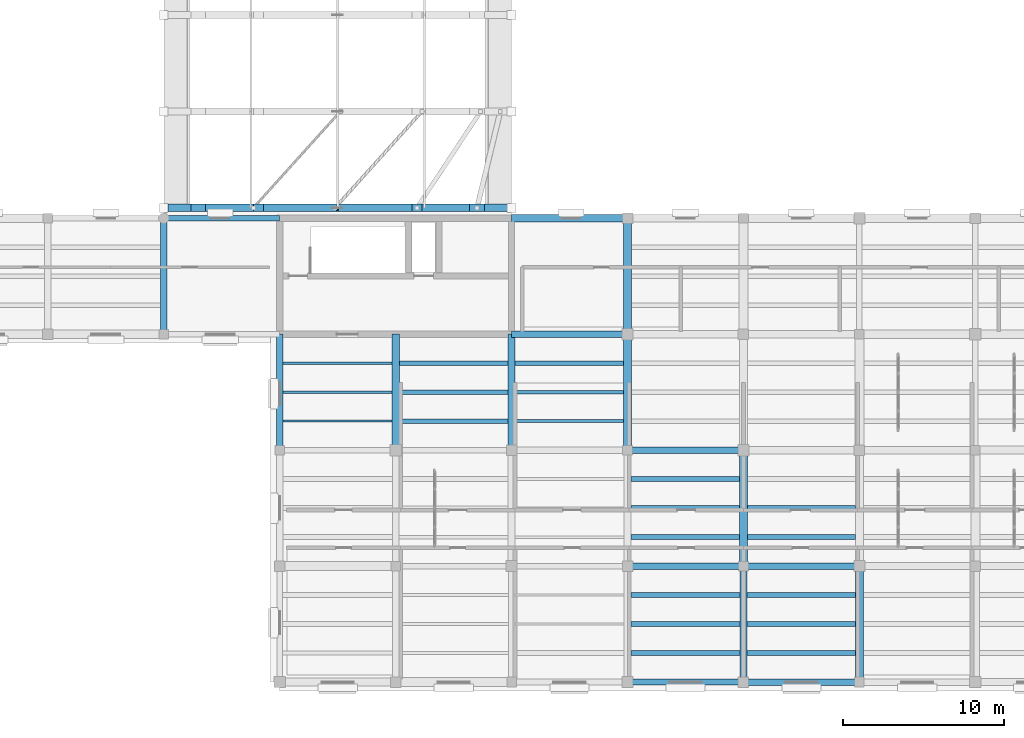
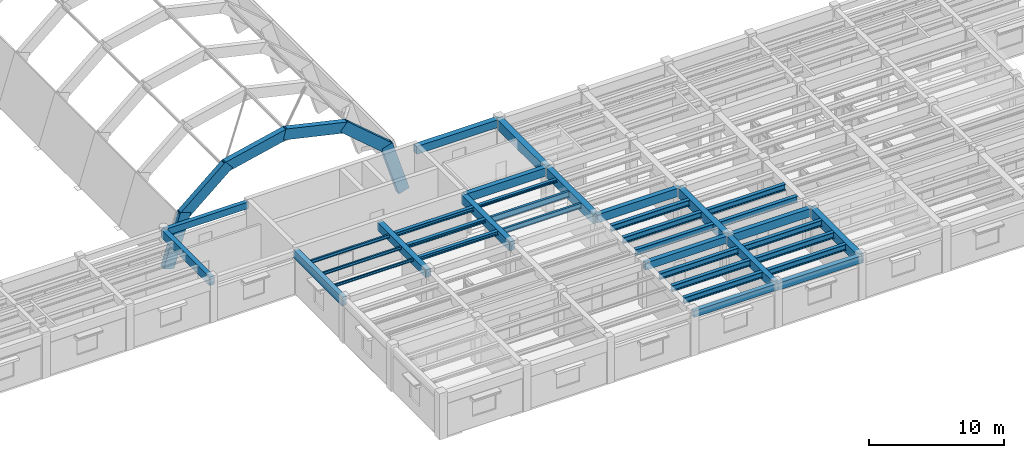
# One storey, part 7 of 66: 43 beams.
"""IFC4 building model written with IfcOpenShell, lengths in metres."""

from ifc_helpers import new_model, si_unit, direction, frame, origin, origin_2d, place, context, subcontext, project, spatial, rectangle, i_section, extrude, material, material_profile, profile_set, type_object, element, save


model = new_model("IFC4")

# Units and contexts
model_context = context("Model", 3, precision=1e-05, world=origin(), true_north=direction((0.0, 1.0)))
body_context = subcontext(model_context, "Body", "Model", "MODEL_VIEW")
ifc_project = project(units=[si_unit("LENGTHUNIT", "METRE"), si_unit("AREAUNIT", "SQUARE_METRE"), si_unit("VOLUMEUNIT", "CUBIC_METRE"), si_unit("PLANEANGLEUNIT", "RADIAN"), si_unit("MASSUNIT", "GRAM", prefix="KILO")], contexts=[model_context])

# Site, building, storey
site_placement = place(None, origin())
site = spatial("IfcSite", under=ifc_project, at=site_placement, CompositionType="ELEMENT")
building_placement = place(site_placement, origin())
building = spatial("IfcBuilding", under=site, at=building_placement, Name="Mithqara Police Headquarters", CompositionType="ELEMENT")
storey_placement = place(building_placement, frame((0.0, 0.0, 9.60009765625)))
storey = spatial("IfcBuildingStorey", under=building, at=storey_placement, Name="L02", CompositionType="ELEMENT", Elevation=9.60009765625)

# Beams
ifc_material_1 = material(Name="Steel S355JR", Category="steel")
ifc_material_profile_1 = material_profile(ifc_material_1, i_section(OverallWidth=0.300048828125, OverallDepth=0.300048828125, WebThickness=0.010986328125, FlangeThickness=0.01904296875, FilletRadius=0.027099609375, at=origin_2d()), Name="HEB 300")
ifc_profile_set_1 = profile_set([ifc_material_profile_1], Name="Steel S355JR")
beam_type_1 = type_object("IfcBeamType", Name="BEAM HEB300", PredefinedType="BEAM", material=ifc_profile_set_1)
beam_1_placement = place(storey_placement, frame((87.22509765625, 24.60009765625, 3.789794921875), z_axis=(1.0, 0.0, 0.0), x_axis=(0.0, 1.0, 0.0)))
element("IfcBeam", 1, at=beam_1_placement, inside=storey, type_object=beam_type_1, Name="L02 Composite Steel Joist 13-14/D.2", PredefinedType="BEAM", context=body_context, shape_type="SweptSolid", body=[
    extrude(i_section(OverallWidth=0.300048828125, OverallDepth=0.300048828125, WebThickness=0.010986328125, FlangeThickness=0.01904296875, FilletRadius=0.027099609375, at=origin_2d()), origin(), (0.0, 0.0, 1.0), 6.75),
])
ifc_material_profile_2 = material_profile(ifc_material_1, i_section(OverallWidth=0.300048828125, OverallDepth=0.360107421875, WebThickness=0.012451171875, FlangeThickness=0.0224609375, FilletRadius=0.027099609375, at=origin_2d()), Name="HEB 360")
ifc_profile_set_2 = profile_set([ifc_material_profile_2], Name="Steel S355JR")
beam_type_2 = type_object("IfcBeamType", Name="BEAM HEB360", PredefinedType="BEAM", material=ifc_profile_set_2)
beam_2_placement = place(storey_placement, frame((87.22509765625, 26.39990234375, 3.760009765625), z_axis=(1.0, 0.0, 0.0), x_axis=(0.0, 1.0, 0.0)))
element("IfcBeam", 2, at=beam_2_placement, inside=storey, type_object=beam_type_2, Name="L02 Composite Steel Joist 13-14/D.3", PredefinedType="BEAM", context=body_context, shape_type="SweptSolid", body=[
    extrude(i_section(OverallWidth=0.300048828125, OverallDepth=0.360107421875, WebThickness=0.012451171875, FlangeThickness=0.0224609375, FilletRadius=0.027099609375, at=origin_2d()), origin(), (0.0, 0.0, 1.0), 6.75),
])
ifc_material_profile_3 = material_profile(ifc_material_1, i_section(OverallWidth=0.300048828125, OverallDepth=0.550048828125, WebThickness=0.014892578125, FlangeThickness=0.029052734375, FilletRadius=0.027099609375, at=origin_2d()), Name="HEB 550")
ifc_profile_set_3 = profile_set([ifc_material_profile_3], Name="Steel S355JR")
beam_type_3 = type_object("IfcBeamType", Name="BEAM HEB550", PredefinedType="BEAM", material=ifc_profile_set_3)
for number, where, z_axis, x_axis, name in (
    (3, (101.625, 8.39990234375, 3.664794921875), (1.0, 0.0, 0.0), (0.0, 1.0, 0.0), "L02 Composite Steel Joist 15-16/B.1"),
    (4, (101.625, 10.199951171875, 3.664794921875), (1.0, 0.0, 0.0), (0.0, 1.0, 0.0), "L02 Composite Steel Joist 15-16/B.2"),
    (5, (101.625, 12.0, 3.664794921875), (1.0, 0.0, 0.0), (0.0, 1.0, 0.0), "L02 Composite Steel Joist 15-16/B.3"),
):
    element("IfcBeam", number, at=place(storey_placement, frame(where, z_axis=z_axis, x_axis=x_axis)), inside=storey, type_object=beam_type_3, Name=name, PredefinedType="BEAM", context=body_context, shape_type="SweptSolid", body=[
        extrude(i_section(OverallWidth=0.300048828125, OverallDepth=0.550048828125, WebThickness=0.014892578125, FlangeThickness=0.029052734375, FilletRadius=0.027099609375, at=origin_2d()), origin(), (0.0, 0.0, 1.0), 6.75),
    ])
for number, where, z_axis, x_axis, name in (
    (6, (101.625, 15.60009765625, 3.664794921875), (1.0, 0.0, 0.0), (0.0, 1.0, 0.0), "L02 Composite Steel Joist 15-16/C.1"),
    (7, (101.625, 17.39990234375, 3.664794921875), (1.0, 0.0, 0.0), (0.0, 1.0, 0.0), "L02 Composite Steel Joist 15-16/C.2"),
    (8, (101.625, 19.199951171875, 3.664794921875), (1.0, 0.0, 0.0), (0.0, 1.0, 0.0), "L02 Composite Steel Joist 15-16/C.3"),
    (9, (108.824951171875, 8.39990234375, 3.664794921875), (1.0, 0.0, 0.0), (0.0, 1.0, 0.0), "L02 Composite Steel Joist 16-17/B.1"),
    (10, (108.824951171875, 10.199951171875, 3.664794921875), (1.0, 0.0, 0.0), (0.0, 1.0, 0.0), "L02 Composite Steel Joist 16-17/B.2"),
    (11, (108.824951171875, 12.0, 3.664794921875), (1.0, 0.0, 0.0), (0.0, 1.0, 0.0), "L02 Composite Steel Joist 16-17/B.3"),
):
    element("IfcBeam", number, at=place(storey_placement, frame(where, z_axis=z_axis, x_axis=x_axis)), inside=storey, type_object=beam_type_3, Name=name, PredefinedType="BEAM", context=body_context, shape_type="SweptSolid", body=[
        extrude(i_section(OverallWidth=0.300048828125, OverallDepth=0.550048828125, WebThickness=0.014892578125, FlangeThickness=0.029052734375, FilletRadius=0.027099609375, at=origin_2d()), origin(), (0.0, 0.0, 1.0), 6.72509765625),
    ])
for number, where, z_axis, x_axis, name in (
    (12, (108.85009765625, 15.60009765625, 3.664794921875), (1.0, 0.0, 0.0), (0.0, 1.0, 0.0), "L02 Composite Steel Joist 16-17/C.1"),
    (13, (108.85009765625, 17.39990234375, 3.664794921875), (1.0, 0.0, 0.0), (0.0, 1.0, 0.0), "L02 Composite Steel Joist 16-17/C.2"),
):
    element("IfcBeam", number, at=place(storey_placement, frame(where, z_axis=z_axis, x_axis=x_axis)), inside=storey, type_object=beam_type_3, Name=name, PredefinedType="BEAM", context=body_context, shape_type="SweptSolid", body=[
        extrude(i_section(OverallWidth=0.300048828125, OverallDepth=0.550048828125, WebThickness=0.014892578125, FlangeThickness=0.029052734375, FilletRadius=0.027099609375, at=origin_2d()), origin(), (0.0, 0.0, 1.0), 6.699951171875),
    ])
ifc_material_2 = material(Name="Concrete C40/50", Category="concrete")
ifc_material_profile_4 = material_profile(ifc_material_2, rectangle(XDim=0.35009765625, YDim=0.60009765625, at=origin_2d()), Name="RC 350x600")
ifc_profile_set_4 = profile_set([ifc_material_profile_4], Name="Concrete C40/50")
beam_type_4 = type_object("IfcBeamType", Name="BEAM RC350X600", PredefinedType="BEAM", material=ifc_profile_set_4)
beam_3_placement = place(storey_placement, frame((72.60009765625, 35.39990234375, 3.639892578125), z_axis=(1.0, 0.0, 0.0), x_axis=(0.0, 1.0, 0.0)))
element("IfcBeam", 14, at=beam_3_placement, inside=storey, type_object=beam_type_4, Name="L02 Girder 11-12/F", PredefinedType="BEAM", context=body_context, shape_type="SweptSolid", body=[
    extrude(rectangle(XDim=0.35009765625, YDim=0.60009765625, at=origin_2d()), origin(), (0.0, 0.0, 1.0), 7.199951171875),
])
beam_4_placement = place(storey_placement, frame((101.39990234375, 6.60009765625, 3.639892578125), z_axis=(1.0, 0.0, 0.0), x_axis=(0.0, 1.0, 0.0)))
element("IfcBeam", 15, at=beam_4_placement, inside=storey, type_object=beam_type_4, Name="L02 Girder 15-16/B", PredefinedType="BEAM", context=body_context, shape_type="SweptSolid", body=[
    extrude(rectangle(XDim=0.35009765625, YDim=0.60009765625, at=origin_2d()), origin(), (0.0, 0.0, 1.0), 7.2001953125),
])
ifc_material_profile_5 = material_profile(ifc_material_2, rectangle(XDim=0.39990234375, YDim=0.64990234375, at=origin_2d()), Name="RC 400x650")
ifc_profile_set_5 = profile_set([ifc_material_profile_5], Name="Concrete C40/50")
beam_type_5 = type_object("IfcBeamType", Name="BEAM RC400X650", PredefinedType="BEAM", material=ifc_profile_set_5)
beam_5_placement = place(storey_placement, frame((101.39990234375, 13.800048828125, 3.614990234375), z_axis=(1.0, 0.0, 0.0), x_axis=(0.0, 1.0, 0.0)))
element("IfcBeam", 16, at=beam_5_placement, inside=storey, type_object=beam_type_5, Name="L02 Girder 15-16/C", PredefinedType="BEAM", context=body_context, shape_type="SweptSolid", body=[
    extrude(rectangle(XDim=0.39990234375, YDim=0.64990234375, at=origin_2d()), origin(), (0.0, 0.0, 1.0), 7.2001953125),
])
beam_6_placement = place(storey_placement, frame((108.60009765625, 6.60009765625, 3.614990234375), z_axis=(1.0, 0.0, 0.0), x_axis=(0.0, 1.0, 0.0)))
element("IfcBeam", 17, at=beam_6_placement, inside=storey, type_object=beam_type_5, Name="L02 Girder 16-17/B", PredefinedType="BEAM", context=body_context, shape_type="SweptSolid", body=[
    extrude(rectangle(XDim=0.39990234375, YDim=0.64990234375, at=origin_2d()), origin(), (0.0, 0.0, 1.0), 7.199951171875),
])
ifc_material_profile_6 = material_profile(ifc_material_2, rectangle(XDim=0.39990234375, YDim=0.75, at=origin_2d()), Name="RC 400x750")
ifc_profile_set_6 = profile_set([ifc_material_profile_6], Name="Concrete C40/50")
beam_type_6 = type_object("IfcBeamType", Name="BEAM RC400X750", PredefinedType="BEAM", material=ifc_profile_set_6)
for number, where, z_axis, x_axis, name in (
    (18, (72.60009765625, 28.199951171875, 3.56494140625), (0.0, 1.0, 0.0), (-1.0, 0.0, 0.0), "L02 Girder 11/E-F"),
    (19, (79.800048828125, 21.0, 3.56494140625), (0.0, 1.0, 0.0), (-1.0, 0.0, 0.0), "L02 Girder 12/D-E"),
    (20, (94.199951171875, 28.199951171875, 3.56494140625), (1.0, 0.0, 0.0), (0.0, 1.0, 0.0), "L02 Girder 14-15/E"),
):
    element("IfcBeam", number, at=place(storey_placement, frame(where, z_axis=z_axis, x_axis=x_axis)), inside=storey, type_object=beam_type_6, Name=name, PredefinedType="BEAM", context=body_context, shape_type="SweptSolid", body=[
        extrude(rectangle(XDim=0.39990234375, YDim=0.75, at=origin_2d()), origin(), (0.0, 0.0, 1.0), 7.199951171875),
    ])
beam_7_placement = place(storey_placement, frame((101.39990234375, 21.0, 3.56494140625), z_axis=(1.0, 0.0, 0.0), x_axis=(0.0, 1.0, 0.0)))
element("IfcBeam", 21, at=beam_7_placement, inside=storey, type_object=beam_type_6, Name="L02 Girder 15-16/D", PredefinedType="BEAM", context=body_context, shape_type="SweptSolid", body=[
    extrude(rectangle(XDim=0.39990234375, YDim=0.75, at=origin_2d()), origin(), (0.0, 0.0, 1.0), 7.2001953125),
])
beam_8_placement = place(storey_placement, frame((108.60009765625, 13.800048828125, 3.56494140625), z_axis=(1.0, 0.0, 0.0), x_axis=(0.0, 1.0, 0.0)))
element("IfcBeam", 22, at=beam_8_placement, inside=storey, type_object=beam_type_6, Name="L02 Girder 16-17/C", PredefinedType="BEAM", context=body_context, shape_type="SweptSolid", body=[
    extrude(rectangle(XDim=0.39990234375, YDim=0.75, at=origin_2d()), origin(), (0.0, 0.0, 1.0), 7.199951171875),
])
ifc_material_profile_7 = material_profile(ifc_material_2, rectangle(XDim=0.449951171875, YDim=0.699951171875, at=origin_2d()), Name="RC 450x700")
ifc_profile_set_7 = profile_set([ifc_material_profile_7], Name="Concrete C40/50")
beam_type_7 = type_object("IfcBeamType", Name="BEAM RC450X700", PredefinedType="BEAM", material=ifc_profile_set_7)
for number, where, z_axis, x_axis, name in (
    (23, (87.0, 21.0, 3.58984375), (0.0, 1.0, 0.0), (-1.0, 0.0, 0.0), "L02 Girder 13/D-E"),
    (24, (94.199951171875, 35.39990234375, 3.58984375), (1.0, 0.0, 0.0), (0.0, 1.0, 0.0), "L02 Girder 14-15/F"),
):
    element("IfcBeam", number, at=place(storey_placement, frame(where, z_axis=z_axis, x_axis=x_axis)), inside=storey, type_object=beam_type_7, Name=name, PredefinedType="BEAM", context=body_context, shape_type="SweptSolid", body=[
        extrude(rectangle(XDim=0.449951171875, YDim=0.699951171875, at=origin_2d()), origin(), (0.0, 0.0, 1.0), 7.199951171875),
    ])
ifc_material_profile_8 = material_profile(ifc_material_2, rectangle(XDim=0.449951171875, YDim=0.800048828125, at=origin_2d()), Name="RC 450x800")
ifc_profile_set_8 = profile_set([ifc_material_profile_8], Name="Concrete C40/50")
beam_type_8 = type_object("IfcBeamType", Name="BEAM RC450X800", PredefinedType="BEAM", material=ifc_profile_set_8)
for number, where, z_axis, x_axis, name in (
    (25, (94.199951171875, 21.0, 3.539794921875), (0.0, 1.0, 0.0), (-1.0, 0.0, 0.0), "L02 Girder 14/D-E"),
    (26, (108.60009765625, 6.60009765625, 3.539794921875), (0.0, 1.0, 0.0), (-1.0, 0.0, 0.0), "L02 Girder 16/B-C"),
):
    element("IfcBeam", number, at=place(storey_placement, frame(where, z_axis=z_axis, x_axis=x_axis)), inside=storey, type_object=beam_type_8, Name=name, PredefinedType="BEAM", context=body_context, shape_type="SweptSolid", body=[
        extrude(rectangle(XDim=0.449951171875, YDim=0.800048828125, at=origin_2d()), origin(), (0.0, 0.0, 1.0), 7.199951171875),
    ])
ifc_material_profile_9 = material_profile(ifc_material_2, rectangle(XDim=0.5, YDim=0.85009765625, at=origin_2d()), Name="RC 500x850")
ifc_profile_set_9 = profile_set([ifc_material_profile_9], Name="Concrete C40/50")
beam_type_9 = type_object("IfcBeamType", Name="BEAM RC500X850", PredefinedType="BEAM", material=ifc_profile_set_9)
for number, where, z_axis, x_axis, name in (
    (27, (101.39990234375, 21.0, 3.514892578125), (0.0, 1.0, 0.0), (-1.0, 0.0, 0.0), "L02 Girder 15/D-E"),
    (28, (108.60009765625, 13.800048828125, 3.514892578125), (0.0, 1.0, 0.0), (-1.0, 0.0, 0.0), "L02 Girder 16/C-D"),
    (29, (115.800048828125, 6.60009765625, 3.514892578125), (0.0, 1.0, 0.0), (-1.0, 0.0, 0.0), "L02 Girder 17/B-C"),
):
    element("IfcBeam", number, at=place(storey_placement, frame(where, z_axis=z_axis, x_axis=x_axis)), inside=storey, type_object=beam_type_9, Name=name, PredefinedType="BEAM", context=body_context, shape_type="SweptSolid", body=[
        extrude(rectangle(XDim=0.5, YDim=0.85009765625, at=origin_2d()), origin(), (0.0, 0.0, 1.0), 7.199951171875),
    ])
ifc_material_3 = material(Name="Concrete C50/60", Category="concrete")
ifc_material_profile_10 = material_profile(ifc_material_3, rectangle(XDim=0.5, YDim=0.89990234375, at=origin_2d()), Name="RC 500x900")
ifc_profile_set_10 = profile_set([ifc_material_profile_10], Name="Concrete C50/60")
beam_type_10 = type_object("IfcBeamType", Name="BEAM RC500X900", PredefinedType="BEAM", material=ifc_profile_set_10)
beam_9_placement = place(storey_placement, frame((101.39990234375, 28.199951171875, 3.489990234375), z_axis=(0.0, 1.0, 0.0), x_axis=(-1.0, 0.0, 0.0)))
element("IfcBeam", 30, at=beam_9_placement, inside=storey, type_object=beam_type_10, Name="L02 Girder 15/E-F", PredefinedType="BEAM", context=body_context, shape_type="SweptSolid", body=[
    extrude(rectangle(XDim=0.5, YDim=0.89990234375, at=origin_2d()), origin(), (0.0, 0.0, 1.0), 7.199951171875),
])
ifc_material_profile_11 = material_profile(ifc_material_1, i_section(OverallWidth=0.260009765625, OverallDepth=0.25, WebThickness=0.007568359375, FlangeThickness=0.012451171875, FilletRadius=0.02392578125, at=origin_2d()), Name="HEA 260")
ifc_profile_set_11 = profile_set([ifc_material_profile_11], Name="Steel S355JR")
beam_type_11 = type_object("IfcBeamType", Name="JOIST HEA260", PredefinedType="JOIST", material=ifc_profile_set_11)
beam_10_placement = place(storey_placement, frame((94.425048828125, 26.39990234375, 3.81494140625), z_axis=(1.0, 0.0, 0.0), x_axis=(0.0, 1.0, 0.0)))
element("IfcBeam", 31, at=beam_10_placement, inside=storey, type_object=beam_type_11, Name="L02 Composite Steel Joist 14-15/D.3", PredefinedType="JOIST", context=body_context, shape_type="SweptSolid", body=[
    extrude(i_section(OverallWidth=0.260009765625, OverallDepth=0.25, WebThickness=0.007568359375, FlangeThickness=0.012451171875, FilletRadius=0.02392578125, at=origin_2d()), origin(), (0.0, 0.0, 1.0), 6.724853515625),
])
ifc_material_profile_12 = material_profile(ifc_material_1, i_section(OverallWidth=0.300048828125, OverallDepth=0.330078125, WebThickness=0.009521484375, FlangeThickness=0.0166015625, FilletRadius=0.027099609375, at=origin_2d()), Name="HEA 340")
ifc_profile_set_12 = profile_set([ifc_material_profile_12], Name="Steel S355JR")
beam_type_12 = type_object("IfcBeamType", Name="JOIST HEA340", PredefinedType="JOIST", material=ifc_profile_set_12)
beam_11_placement = place(storey_placement, frame((87.22509765625, 22.800048828125, 3.77490234375), z_axis=(1.0, 0.0, 0.0), x_axis=(0.0, 1.0, 0.0)))
element("IfcBeam", 32, at=beam_11_placement, inside=storey, type_object=beam_type_12, Name="L02 Composite Steel Joist 13-14/D.1", PredefinedType="JOIST", context=body_context, shape_type="SweptSolid", body=[
    extrude(i_section(OverallWidth=0.300048828125, OverallDepth=0.330078125, WebThickness=0.009521484375, FlangeThickness=0.0166015625, FilletRadius=0.027099609375, at=origin_2d()), origin(), (0.0, 0.0, 1.0), 6.75),
])
ifc_material_profile_13 = material_profile(ifc_material_1, i_section(OverallWidth=0.1201171875, OverallDepth=0.239990234375, WebThickness=0.006103515625, FlangeThickness=0.009765625, FilletRadius=0.014892578125, at=origin_2d()), Name="IPE 240")
ifc_profile_set_13 = profile_set([ifc_material_profile_13], Name="Steel S355JR")
beam_type_13 = type_object("IfcBeamType", Name="JOIST IPE240", PredefinedType="JOIST", material=ifc_profile_set_13)
beam_12_placement = place(storey_placement, frame((80.0, 22.800048828125, 3.81982421875), z_axis=(1.0, 0.0, 0.0), x_axis=(0.0, 1.0, 0.0)))
element("IfcBeam", 33, at=beam_12_placement, inside=storey, type_object=beam_type_13, Name="L02 Composite Steel Joist 12-13/D.1", PredefinedType="JOIST", context=body_context, shape_type="SweptSolid", body=[
    extrude(i_section(OverallWidth=0.1201171875, OverallDepth=0.239990234375, WebThickness=0.006103515625, FlangeThickness=0.009765625, FilletRadius=0.014892578125, at=origin_2d()), origin(), (0.0, 0.0, 1.0), 6.77490234375),
])
ifc_material_profile_14 = material_profile(ifc_material_1, i_section(OverallWidth=0.135009765625, OverallDepth=0.27001953125, WebThickness=0.006591796875, FlangeThickness=0.01025390625, FilletRadius=0.014892578125, at=origin_2d()), Name="IPE 270")
ifc_profile_set_14 = profile_set([ifc_material_profile_14], Name="Steel S355JR")
beam_type_14 = type_object("IfcBeamType", Name="JOIST IPE270", PredefinedType="JOIST", material=ifc_profile_set_14)
beam_13_placement = place(storey_placement, frame((80.0, 24.60009765625, 3.804931640625), z_axis=(1.0, 0.0, 0.0), x_axis=(0.0, 1.0, 0.0)))
element("IfcBeam", 34, at=beam_13_placement, inside=storey, type_object=beam_type_14, Name="L02 Composite Steel Joist 12-13/D.2", PredefinedType="JOIST", context=body_context, shape_type="SweptSolid", body=[
    extrude(i_section(OverallWidth=0.135009765625, OverallDepth=0.27001953125, WebThickness=0.006591796875, FlangeThickness=0.01025390625, FilletRadius=0.014892578125, at=origin_2d()), origin(), (0.0, 0.0, 1.0), 6.77490234375),
])
ifc_material_profile_15 = material_profile(ifc_material_1, i_section(OverallWidth=0.14990234375, OverallDepth=0.300048828125, WebThickness=0.007080078125, FlangeThickness=0.0107421875, FilletRadius=0.014892578125, at=origin_2d()), Name="IPE 300")
ifc_profile_set_15 = profile_set([ifc_material_profile_15], Name="Steel S355JR")
beam_type_15 = type_object("IfcBeamType", Name="JOIST IPE300", PredefinedType="JOIST", material=ifc_profile_set_15)
beam_14_placement = place(storey_placement, frame((80.0, 26.39990234375, 3.789794921875), z_axis=(1.0, 0.0, 0.0), x_axis=(0.0, 1.0, 0.0)))
element("IfcBeam", 35, at=beam_14_placement, inside=storey, type_object=beam_type_15, Name="L02 Composite Steel Joist 12-13/D.3", PredefinedType="JOIST", context=body_context, shape_type="SweptSolid", body=[
    extrude(i_section(OverallWidth=0.14990234375, OverallDepth=0.300048828125, WebThickness=0.007080078125, FlangeThickness=0.0107421875, FilletRadius=0.014892578125, at=origin_2d()), origin(), (0.0, 0.0, 1.0), 6.77490234375),
])
ifc_material_profile_16 = material_profile(ifc_material_1, i_section(OverallWidth=0.18994140625, OverallDepth=0.449951171875, WebThickness=0.009521484375, FlangeThickness=0.0146484375, FilletRadius=0.02099609375, at=origin_2d()), Name="IPE 450")
ifc_profile_set_16 = profile_set([ifc_material_profile_16], Name="Steel S355JR")
beam_type_16 = type_object("IfcBeamType", Name="JOIST IPE450", PredefinedType="JOIST", material=ifc_profile_set_16)
beam_15_placement = place(storey_placement, frame((94.425048828125, 22.800048828125, 3.71484375), z_axis=(1.0, 0.0, 0.0), x_axis=(0.0, 1.0, 0.0)))
element("IfcBeam", 36, at=beam_15_placement, inside=storey, type_object=beam_type_16, Name="L02 Composite Steel Joist 14-15/D.1", PredefinedType="JOIST", context=body_context, shape_type="SweptSolid", body=[
    extrude(i_section(OverallWidth=0.18994140625, OverallDepth=0.449951171875, WebThickness=0.009521484375, FlangeThickness=0.0146484375, FilletRadius=0.02099609375, at=origin_2d()), origin(), (0.0, 0.0, 1.0), 6.724853515625),
])
ifc_material_profile_17 = material_profile(ifc_material_1, i_section(OverallWidth=0.2099609375, OverallDepth=0.550048828125, WebThickness=0.010986328125, FlangeThickness=0.01708984375, FilletRadius=0.02392578125, at=origin_2d()), Name="IPE 550")
ifc_profile_set_17 = profile_set([ifc_material_profile_17], Name="Steel S355JR")
beam_type_17 = type_object("IfcBeamType", Name="JOIST IPE550", PredefinedType="JOIST", material=ifc_profile_set_17)
beam_16_placement = place(storey_placement, frame((94.425048828125, 24.60009765625, 3.664794921875), z_axis=(1.0, 0.0, 0.0), x_axis=(0.0, 1.0, 0.0)))
element("IfcBeam", 37, at=beam_16_placement, inside=storey, type_object=beam_type_17, Name="L02 Composite Steel Joist 14-15/D.2", PredefinedType="JOIST", context=body_context, shape_type="SweptSolid", body=[
    extrude(i_section(OverallWidth=0.2099609375, OverallDepth=0.550048828125, WebThickness=0.010986328125, FlangeThickness=0.01708984375, FilletRadius=0.02392578125, at=origin_2d()), origin(), (0.0, 0.0, 1.0), 6.724853515625),
])
ifc_material_profile_18 = material_profile(ifc_material_3, rectangle(XDim=0.449951171875, YDim=0.949951171875, at=origin_2d()), Name="RIB 450x950")
ifc_profile_set_18 = profile_set([ifc_material_profile_18], Name="Concrete C50/60")
beam_type_18 = type_object("IfcBeamType", Name="VAULT RIB 450X950", PredefinedType="BEAM", material=ifc_profile_set_18)
beam_17_placement = place(storey_placement, frame((73.301025390625, 36.050048828125, -0.220703125), z_axis=(0.300067498999, 0.0, 0.95391797134), x_axis=(0.0, 1.0, 0.0)))
element("IfcBeam", 38, at=beam_17_placement, inside=storey, type_object=beam_type_18, Name="Public Entrance Hall Barrel Vault Arch Rib 1 Chord 1", PredefinedType="BEAM", context=body_context, shape_type="SweptSolid", body=[
    extrude(rectangle(XDim=0.449951171875, YDim=0.949951171875, at=origin_2d()), origin(), (0.0, 0.0, 1.0), 4.822265625),
])
beam_18_placement = place(storey_placement, frame((74.5234375, 36.050048828125, 4.040283203125), z_axis=(0.761247528234, 0.0, 0.648461410384), x_axis=(0.0, 1.0, 0.0)))
element("IfcBeam", 39, at=beam_18_placement, inside=storey, type_object=beam_type_18, Name="Public Entrance Hall Barrel Vault Arch Rib 1 Chord 2", PredefinedType="BEAM", context=body_context, shape_type="SweptSolid", body=[
    extrude(rectangle(XDim=0.449951171875, YDim=0.949951171875, at=origin_2d()), origin(), (0.0, 0.0, 1.0), 5.19287109375),
])
for number, where, z_axis, x_axis, name in (
    (40, (78.16357421875, 36.050048828125, 7.250732421875), (0.974923297451, 0.0, 0.222541151446), (0.0, 1.0, 0.0), "Public Entrance Hall Barrel Vault Arch Rib 1 Chord 3"),
    (41, (83.236328125, 36.050048828125, 8.4833984375), (0.974923297451, 0.0, -0.222541151446), (0.0, 1.0, 0.0), "Public Entrance Hall Barrel Vault Arch Rib 1 Chord 4"),
):
    element("IfcBeam", number, at=place(storey_placement, frame(where, z_axis=z_axis, x_axis=x_axis)), inside=storey, type_object=beam_type_18, Name=name, PredefinedType="BEAM", context=body_context, shape_type="SweptSolid", body=[
        extrude(rectangle(XDim=0.449951171875, YDim=0.949951171875, at=origin_2d()), origin(), (0.0, 0.0, 1.0), 5.5390625),
    ])
beam_19_placement = place(storey_placement, frame((88.323486328125, 36.050048828125, 7.40771484375), z_axis=(0.761247528234, 0.0, -0.648461410384), x_axis=(0.0, 1.0, 0.0)))
element("IfcBeam", 42, at=beam_19_placement, inside=storey, type_object=beam_type_18, Name="Public Entrance Hall Barrel Vault Arch Rib 1 Chord 5", PredefinedType="BEAM", context=body_context, shape_type="SweptSolid", body=[
    extrude(rectangle(XDim=0.449951171875, YDim=0.949951171875, at=origin_2d()), origin(), (0.0, 0.0, 1.0), 5.19287109375),
])
beam_20_placement = place(storey_placement, frame((92.052001953125, 36.050048828125, 4.37939453125), z_axis=(0.300021429234, 0.0, -0.95393246197), x_axis=(0.0, 1.0, 0.0)))
element("IfcBeam", 43, at=beam_20_placement, inside=storey, type_object=beam_type_18, Name="Public Entrance Hall Barrel Vault Arch Rib 1 Chord 6", PredefinedType="BEAM", context=body_context, shape_type="SweptSolid", body=[
    extrude(rectangle(XDim=0.449951171875, YDim=0.949951171875, at=origin_2d()), origin(), (0.0, 0.0, 1.0), 4.822265625),
])

save(model, "model.ifc")
